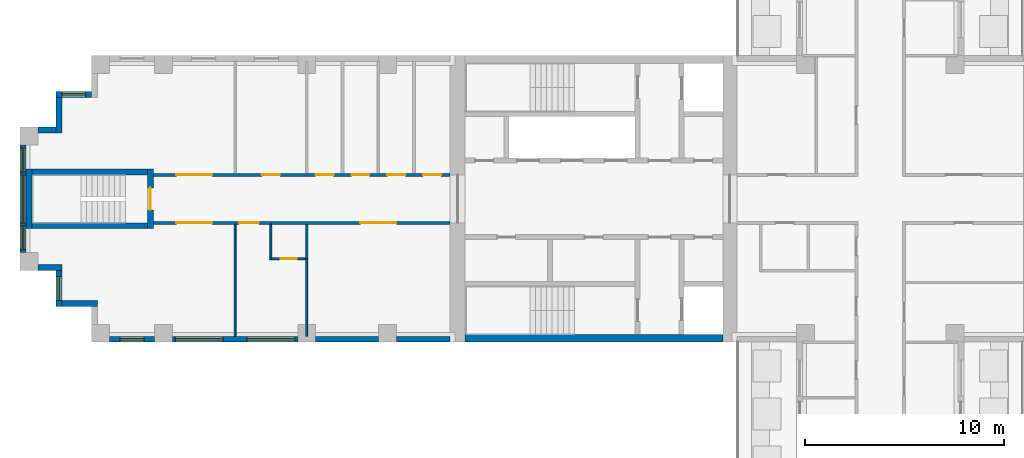
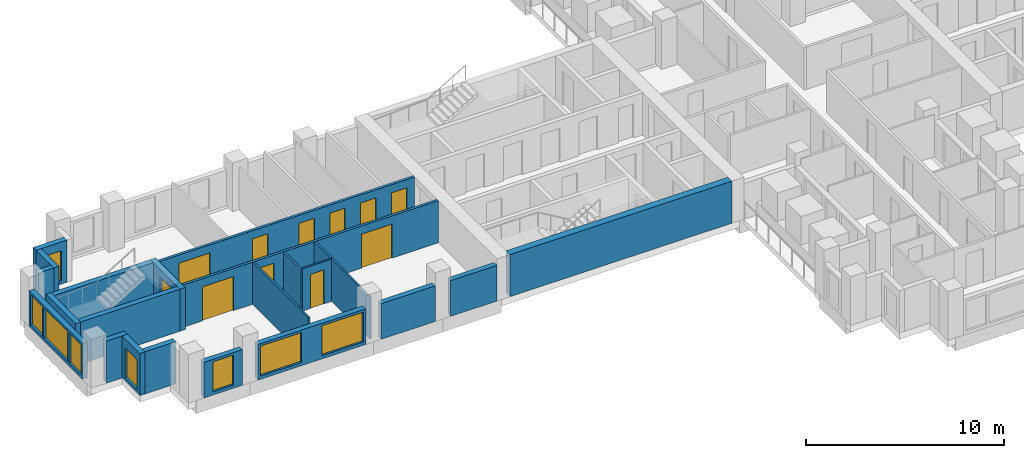
# One storey, part 2 of 11: 23 walls, 11 doors, 8 windows, 19 openings.
"""IFC4 building model written with IfcOpenShell, lengths in metres."""

import ifcopenshell
import ifcopenshell.guid

model = None  # the IFC model being written
_history = None  # IfcOwnerHistory: only IFC2X3 demands one
_inside = {}  # id of a spatial element -> (the spatial element, [elements in it])
_under = {}  # id of a project, library or spatial element -> (it, [spatial elements below it])
_declared = {}  # id of a project -> (the project, [libraries it declares])
_typed = {}  # id of a type object -> (the type object, [elements of that type])
_made_of = {}  # id of a material, layer set ... -> (it, [elements and type objects made of it])


def new_model(schema):
    """Start an empty IFC model of exactly this schema.

    Asked for "IFC4X3", IfcOpenShell would pick the latest addendum, in which some entities
    have other attributes; the version numbers below select the first issue.
    IFC2X3 requires an IfcOwnerHistory on every rooted entity: one is made here for all.
    """
    global model, _history
    if schema == "IFC4X3":
        model = ifcopenshell.file(schema_version=(4, 3, 0, 0))
    else:
        model = ifcopenshell.file(schema=schema)
    _inside.clear()
    _under.clear()
    _declared.clear()
    _typed.clear()
    _made_of.clear()
    _history = None
    if model.schema == "IFC2X3":
        org = make("IfcOrganization", Name="unknown")
        user = make(
            "IfcPersonAndOrganization",
            ThePerson=make("IfcPerson", FamilyName="unknown"),
            TheOrganization=org,
        )
        app = make(
            "IfcApplication",
            ApplicationDeveloper=org,
            Version="unknown",
            ApplicationFullName="unknown",
            ApplicationIdentifier="unknown",
        )
        _history = make(
            "IfcOwnerHistory",
            OwningUser=user,
            OwningApplication=app,
            ChangeAction="ADDED",
            CreationDate=0,
        )
    return model


def make(cls, **values):
    """One entity of the class cls with the attributes given. An attribute that is None is left unset."""
    return model.create_entity(
        cls, **{name: value for name, value in values.items() if value is not None}
    )


def rooted(cls, **values):
    """An entity with a GlobalId (a new one), such as an element, a storey or a relation."""
    return make(cls, GlobalId=ifcopenshell.guid.new(), OwnerHistory=_history, **values)


def si_unit(unit_type, name, prefix=None):
    """IfcSIUnit, for example si_unit("LENGTHUNIT", "METRE", prefix="MILLI")."""
    return make("IfcSIUnit", UnitType=unit_type, Prefix=prefix, Name=name)


def assignment(units):
    """IfcUnitAssignment: the units of a project."""
    return None if units is None else make("IfcUnitAssignment", Units=units)


def point(xyz):
    """IfcCartesianPoint."""
    return None if xyz is None else make("IfcCartesianPoint", Coordinates=xyz)


def direction(xyz):
    """IfcDirection."""
    return None if xyz is None else make("IfcDirection", DirectionRatios=xyz)


def frame(location, z_axis=None, x_axis=None):
    """IfcAxis2Placement3D, a coordinate frame: its origin and axes. An axis left out is left unset."""
    return make(
        "IfcAxis2Placement3D",
        Location=point(location),
        Axis=direction(z_axis),
        RefDirection=direction(x_axis),
    )


def frame_2d(location, x_axis=None):
    """IfcAxis2Placement2D, a coordinate frame in the plane: its origin and x axis."""
    return make(
        "IfcAxis2Placement2D", Location=point(location), RefDirection=direction(x_axis)
    )


def origin():
    """The frame at (0, 0, 0) with its axes left unset."""
    return frame((0.0, 0.0, 0.0))


def place(relative_to, where):
    """IfcLocalPlacement: puts the frame where relative to a parent placement (None: the world)."""
    return make(
        "IfcLocalPlacement", PlacementRelTo=relative_to, RelativePlacement=where
    )


def context(
    kind, dimensions, precision=None, world=None, true_north=None, identifier=None
):
    """IfcGeometricRepresentationContext, for example the 3D "Model" context."""
    return make(
        "IfcGeometricRepresentationContext",
        ContextIdentifier=identifier,
        ContextType=kind,
        CoordinateSpaceDimension=dimensions,
        Precision=precision,
        WorldCoordinateSystem=world,
        TrueNorth=true_north,
    )


def subcontext(parent, identifier, kind, view, scale=None):
    """IfcGeometricRepresentationSubContext, for example "Body" below "Model"."""
    return make(
        "IfcGeometricRepresentationSubContext",
        ContextIdentifier=identifier,
        ContextType=kind,
        ParentContext=parent,
        TargetScale=scale,
        TargetView=view,
    )


def project(units=None, contexts=None):
    """IfcProject with its units and contexts."""
    return rooted(
        "IfcProject",
        Name="project",
        RepresentationContexts=contexts,
        UnitsInContext=assignment(units),
    )


def spatial(cls, under=None, at=None, **own):
    """A site, building, storey or space (cls), placed at a placement, below another one or the project."""
    s = rooted(cls, ObjectPlacement=at, **own)
    if under is not None:
        _under.setdefault(under.id(), (under, []))[1].append(s)
    return s


def profile(cls, at=None, kind="AREA", **sizes):
    """A parametric profile (cls). Its sizes go by their IFC names, for example OverallWidth=200.0."""
    return make(cls, ProfileType=kind, Position=at, **sizes)


def rectangle(**sizes):
    """IfcRectangleProfileDef."""
    return profile("IfcRectangleProfileDef", **sizes)


def extrude(swept, where, along, depth):
    """IfcExtrudedAreaSolid: the profile swept, set in the frame where, extruded along a direction by depth."""
    return make(
        "IfcExtrudedAreaSolid",
        SweptArea=swept,
        Position=where,
        ExtrudedDirection=direction(along),
        Depth=depth,
    )


def shape(context_of_items, identifier, shape_type, items):
    """IfcShapeRepresentation: the items that make up one representation, for example the "Body"."""
    return make(
        "IfcShapeRepresentation",
        ContextOfItems=context_of_items,
        RepresentationIdentifier=identifier,
        RepresentationType=shape_type,
        Items=items,
    )


def material(Name=None, Category=None):
    """IfcMaterial."""
    return make("IfcMaterial", Name=Name, Category=Category)


def layer(
    of_material, thickness, ventilated=None, Name=None, Category=None, Priority=None
):
    """IfcMaterialLayer: one layer of a wall or slab, of a material (None: an air gap)."""
    return make(
        "IfcMaterialLayer",
        Material=of_material,
        LayerThickness=thickness,
        IsVentilated=ventilated,
        Name=Name,
        Category=Category,
        Priority=Priority,
    )


def layer_set(layers, Name=None):
    """IfcMaterialLayerSet."""
    return make("IfcMaterialLayerSet", MaterialLayers=layers, LayerSetName=Name)


def made_of(thing, what):
    """Note that an element or type object is made of a material, layer set ...; save() writes the relation."""
    if what is not None:
        _made_of.setdefault(what.id(), (what, []))[1].append(thing)
    return thing


def type_object(cls, material=None, **own):
    """A type object (cls), such as IfcWallType, which elements share."""
    return made_of(rooted(cls, **own), material)


def element(
    cls,
    number,
    at=None,
    inside=None,
    cuts=None,
    type_object=None,
    material=None,
    context=None,
    identifier="Body",
    shape_type=None,
    held_by="IfcProductDefinitionShape",
    body=None,
    shapes=None,
    **own,
):
    """One element of the class cls, such as IfcWall. Its Tag is "e" and its number.

    at: its placement. inside: the storey or other place that contains it. cuts: it is an
    opening in that element (IfcRelVoidsElement). A single representation is given by context,
    identifier, shape_type and body (its items); several are given by shapes. held_by: the class
    of the entity that holds the representations. save() writes the other relations.
    """
    e = rooted(cls, Tag="e%d" % number, ObjectPlacement=at, **own)
    if body is not None:
        shapes = [shape(context, identifier, shape_type, body)]
    if shapes is not None:
        e.Representation = make(held_by, Representations=shapes)
    if inside is not None:
        _inside.setdefault(inside.id(), (inside, []))[1].append(e)
    if cuts is not None:
        rooted(
            "IfcRelVoidsElement", RelatingBuildingElement=cuts, RelatedOpeningElement=e
        )
    if type_object is not None:
        _typed.setdefault(type_object.id(), (type_object, []))[1].append(e)
    return made_of(e, material)


def fill(opening, filler):
    """IfcRelFillsElement: the door or window that sits in an opening."""
    return rooted(
        "IfcRelFillsElement",
        RelatingOpeningElement=opening,
        RelatedBuildingElement=filler,
    )


def aggregate(whole, parts):
    """IfcRelAggregates: a whole, such as a stair, and the parts it consists of."""
    return rooted("IfcRelAggregates", RelatingObject=whole, RelatedObjects=parts)


def save(model, path):
    """Write the relations noted so far, then the file.

    IfcRelAggregates (storeys below a building ...), IfcRelContainedInSpatialStructure (elements
    in a storey), IfcRelDefinesByType, IfcRelAssociatesMaterial and IfcRelDeclares: one each for
    every whole, place, type object, material and project.
    """
    for whole, parts in _under.values():
        aggregate(whole, parts)
    for where, things in _inside.values():
        rooted(
            "IfcRelContainedInSpatialStructure",
            RelatedElements=things,
            RelatingStructure=where,
        )
    for kind, things in _typed.values():
        rooted("IfcRelDefinesByType", RelatedObjects=things, RelatingType=kind)
    for what, things in _made_of.values():
        rooted("IfcRelAssociatesMaterial", RelatedObjects=things, RelatingMaterial=what)
    for by, libraries in _declared.values():
        rooted("IfcRelDeclares", RelatingContext=by, RelatedDefinitions=libraries)
    model.write(path)


model = new_model("IFC4")

# Units and contexts
model_context = context("Model", 3, precision=1e-05, world=origin(), true_north=direction((0.0, 1.0)))
body_context = subcontext(model_context, "Body", "Model", "MODEL_VIEW")
ifc_project = project(units=[si_unit("LENGTHUNIT", "METRE"), si_unit("AREAUNIT", "SQUARE_METRE"), si_unit("VOLUMEUNIT", "CUBIC_METRE"), si_unit("PLANEANGLEUNIT", "RADIAN"), si_unit("MASSUNIT", "GRAM", prefix="KILO")], contexts=[model_context])

# Site, building, storey
site_placement = place(None, origin())
site = spatial("IfcSite", under=ifc_project, at=site_placement, CompositionType="ELEMENT")
building_placement = place(site_placement, origin())
building = spatial("IfcBuilding", under=site, at=building_placement, Name="Fustian Cross Tower", CompositionType="ELEMENT")
storey_placement = place(building_placement, frame((0.0, 0.0, 173.699951171875)))
storey = spatial("IfcBuildingStorey", under=building, at=storey_placement, Name="L54", CompositionType="ELEMENT", Elevation=173.699951171875)

# Wall, openings, doors
ifc_material_1 = material(Name="Plasterboard on steel stud", Category="steel")
ifc_layer_1 = layer(ifc_material_1, 0.14990234375)
ifc_layer_set_1 = layer_set([ifc_layer_1], Name="Plasterboard on steel stud")
wall_type_1 = type_object("IfcWallType", Name="COMPARTMENT WALL 150 EI 60", PredefinedType="PARTITIONING", material=ifc_layer_set_1)
wall_1_placement = place(storey_placement, frame((-36.5, -1.199951171875, 0.0), z_axis=(0.0, 0.0, 1.0), x_axis=(1.0, 0.0, 0.0)))
wall_1 = element("IfcWall", 1, at=wall_1_placement, inside=storey, type_object=wall_type_1, Name="Partition 1", PredefinedType="PARTITIONING", context=body_context, shape_type="SweptSolid", body=[
    extrude(rectangle(XDim=14.89990234375, YDim=0.14990234375, at=frame_2d((7.449951171875, 0.0))), origin(), (0.0, 0.0, 1.0), 2.60009765625),
])
opening_1_placement = place(wall_1_placement, frame((10.39990234375, 0.0, 0.0)))
opening_1 = element("IfcOpeningElement", 2, at=opening_1_placement, cuts=wall_1, Name="Opening D25021", PredefinedType="OPENING", context=body_context, shape_type="SweptSolid", body=[
    extrude(rectangle(XDim=1.800048828125, YDim=2.10009765625, at=frame_2d((0.89990234375, 1.050048828125))), frame((0.0, 0.0849609375, 0.0), z_axis=(0.0, -1.0, 0.0), x_axis=(1.0, 0.0, 0.0)), (0.0, 0.0, 1.0), 0.169921875),
])
opening_2_placement = place(wall_1_placement, frame((4.300048828125, 0.0, 0.0)))
opening_2 = element("IfcOpeningElement", 3, at=opening_2_placement, cuts=wall_1, Name="Opening D25023", PredefinedType="OPENING", context=body_context, shape_type="SweptSolid", body=[
    extrude(rectangle(XDim=1.0, YDim=2.10009765625, at=frame_2d((0.5, 1.050048828125))), frame((0.0, 0.0849609375, 0.0), z_axis=(0.0, -1.0, 0.0), x_axis=(1.0, 0.0, 0.0)), (0.0, 0.0, 1.0), 0.169921875),
])
opening_3_placement = place(wall_1_placement, frame((1.14990234375, 0.0, 0.0)))
opening_3 = element("IfcOpeningElement", 4, at=opening_3_placement, cuts=wall_1, Name="Opening D25024", PredefinedType="OPENING", context=body_context, shape_type="SweptSolid", body=[
    extrude(rectangle(XDim=1.800048828125, YDim=2.10009765625, at=frame_2d((0.89990234375, 1.050048828125))), frame((0.0, 0.0849609375, 0.0), z_axis=(0.0, -1.0, 0.0), x_axis=(1.0, 0.0, 0.0)), (0.0, 0.0, 1.0), 0.169921875),
])
ifc_material_2 = material(Name="Timber fire door set", Category="wood")
door_type_1 = type_object("IfcDoorType", Name="FIRE DOUBLE DOOR 1800 FD30S", OperationType="DOUBLE_DOOR_DOUBLE_SWING", PredefinedType="DOOR", material=ifc_material_2)
door_1_placement = place(opening_1_placement, origin())
door_1 = element("IfcDoor", 5, at=door_1_placement, inside=storey, type_object=door_type_1, Name="Door D25021", OperationType="DOUBLE_DOOR_DOUBLE_SWING", OverallHeight=2.10009765625, OverallWidth=1.800048828125, PredefinedType="DOOR", context=body_context, shape_type="SweptSolid", body=[
    extrude(rectangle(XDim=1.800048828125, YDim=2.10009765625, at=frame_2d((0.89990234375, 1.050048828125))), frame((0.0, 0.02490234375, 0.0), z_axis=(0.0, -1.0, 0.0), x_axis=(1.0, 0.0, 0.0)), (0.0, 0.0, 1.0), 0.050048828125),
])
fill(opening_1, door_1)
door_2_placement = place(opening_3_placement, origin())
door_2 = element("IfcDoor", 6, at=door_2_placement, inside=storey, type_object=door_type_1, Name="Door D25024", OperationType="DOUBLE_DOOR_DOUBLE_SWING", OverallHeight=2.10009765625, OverallWidth=1.800048828125, PredefinedType="DOOR", context=body_context, shape_type="SweptSolid", body=[
    extrude(rectangle(XDim=1.800048828125, YDim=2.10009765625, at=frame_2d((0.89990234375, 1.050048828125))), frame((0.0, 0.02490234375, 0.0), z_axis=(0.0, -1.0, 0.0), x_axis=(1.0, 0.0, 0.0)), (0.0, 0.0, 1.0), 0.050048828125),
])
fill(opening_3, door_2)
ifc_material_3 = material(Name="Timber fire door set", Category="wood")
door_type_2 = type_object("IfcDoorType", Name="FIRE SWING DOOR 1000 FD30S", OperationType="SINGLE_SWING_LEFT", PredefinedType="DOOR", material=ifc_material_3)
door_3_placement = place(opening_2_placement, frame((1.0, 0.0, 0.0), z_axis=(0.0, 0.0, 1.0), x_axis=(-1.0, 0.0, 0.0)))
door_3 = element("IfcDoor", 7, at=door_3_placement, inside=storey, type_object=door_type_2, Name="Door D25023", OperationType="SINGLE_SWING_RIGHT", OverallHeight=2.10009765625, OverallWidth=1.0, PredefinedType="DOOR", context=body_context, shape_type="SweptSolid", body=[
    extrude(rectangle(XDim=1.0, YDim=2.10009765625, at=frame_2d((0.5, 1.050048828125))), frame((0.0, 0.02490234375, 0.0), z_axis=(0.0, -1.0, 0.0), x_axis=(1.0, 0.0, 0.0)), (0.0, 0.0, 1.0), 0.050048828125),
])
fill(opening_2, door_3)

wall_2_placement = place(storey_placement, frame((-36.5, 1.199951171875, 0.0), z_axis=(0.0, 0.0, 1.0), x_axis=(1.0, 0.0, 0.0)))
wall_2 = element("IfcWall", 8, at=wall_2_placement, inside=storey, type_object=wall_type_1, Name="Partition 2", PredefinedType="PARTITIONING", context=body_context, shape_type="SweptSolid", body=[
    extrude(rectangle(XDim=14.89990234375, YDim=0.14990234375, at=frame_2d((7.449951171875, 0.0))), origin(), (0.0, 0.0, 1.0), 2.60009765625),
])
opening_4_placement = place(wall_2_placement, frame((13.550048828125, 0.0, 0.0)))
opening_4 = element("IfcOpeningElement", 9, at=opening_4_placement, cuts=wall_2, Name="Opening D25025", PredefinedType="OPENING", context=body_context, shape_type="SweptSolid", body=[
    extrude(rectangle(XDim=0.89990234375, YDim=2.10009765625, at=frame_2d((0.449951171875, 1.050048828125))), frame((0.0, 0.0849609375, 0.0), z_axis=(0.0, -1.0, 0.0), x_axis=(1.0, 0.0, 0.0)), (0.0, 0.0, 1.0), 0.169921875),
])
opening_5_placement = place(wall_2_placement, frame((11.75, 0.0, 0.0)))
opening_5 = element("IfcOpeningElement", 10, at=opening_5_placement, cuts=wall_2, Name="Opening D25026", PredefinedType="OPENING", context=body_context, shape_type="SweptSolid", body=[
    extrude(rectangle(XDim=0.89990234375, YDim=2.10009765625, at=frame_2d((0.449951171875, 1.050048828125))), frame((0.0, 0.0849609375, 0.0), z_axis=(0.0, -1.0, 0.0), x_axis=(1.0, 0.0, 0.0)), (0.0, 0.0, 1.0), 0.169921875),
])
opening_6_placement = place(wall_2_placement, frame((9.949951171875, 0.0, 0.0)))
opening_6 = element("IfcOpeningElement", 11, at=opening_6_placement, cuts=wall_2, Name="Opening D25027", PredefinedType="OPENING", context=body_context, shape_type="SweptSolid", body=[
    extrude(rectangle(XDim=0.89990234375, YDim=2.10009765625, at=frame_2d((0.449951171875, 1.050048828125))), frame((0.0, 0.0849609375, 0.0), z_axis=(0.0, -1.0, 0.0), x_axis=(1.0, 0.0, 0.0)), (0.0, 0.0, 1.0), 0.169921875),
])
opening_7_placement = place(wall_2_placement, frame((8.14990234375, 0.0, 0.0)))
opening_7 = element("IfcOpeningElement", 12, at=opening_7_placement, cuts=wall_2, Name="Opening D25028", PredefinedType="OPENING", context=body_context, shape_type="SweptSolid", body=[
    extrude(rectangle(XDim=0.89990234375, YDim=2.10009765625, at=frame_2d((0.449951171875, 1.050048828125))), frame((0.0, 0.0849609375, 0.0), z_axis=(0.0, -1.0, 0.0), x_axis=(1.0, 0.0, 0.0)), (0.0, 0.0, 1.0), 0.169921875),
])
opening_8_placement = place(wall_2_placement, frame((5.449951171875, 0.0, 0.0)))
opening_8 = element("IfcOpeningElement", 13, at=opening_8_placement, cuts=wall_2, Name="Opening D25029", PredefinedType="OPENING", context=body_context, shape_type="SweptSolid", body=[
    extrude(rectangle(XDim=0.89990234375, YDim=2.10009765625, at=frame_2d((0.449951171875, 1.050048828125))), frame((0.0, 0.0849609375, 0.0), z_axis=(0.0, -1.0, 0.0), x_axis=(1.0, 0.0, 0.0)), (0.0, 0.0, 1.0), 0.169921875),
])
opening_9_placement = place(wall_2_placement, frame((1.14990234375, 0.0, 0.0)))
opening_9 = element("IfcOpeningElement", 14, at=opening_9_placement, cuts=wall_2, Name="Opening D25030", PredefinedType="OPENING", context=body_context, shape_type="SweptSolid", body=[
    extrude(rectangle(XDim=1.800048828125, YDim=2.10009765625, at=frame_2d((0.89990234375, 1.050048828125))), frame((0.0, 0.0849609375, 0.0), z_axis=(0.0, -1.0, 0.0), x_axis=(1.0, 0.0, 0.0)), (0.0, 0.0, 1.0), 0.169921875),
])
door_4_placement = place(opening_9_placement, frame((1.800048828125, 0.0, 0.0), z_axis=(0.0, 0.0, 1.0), x_axis=(-1.0, 0.0, 0.0)))
door_4 = element("IfcDoor", 15, at=door_4_placement, inside=storey, type_object=door_type_1, Name="Door D25030", OperationType="DOUBLE_DOOR_DOUBLE_SWING", OverallHeight=2.10009765625, OverallWidth=1.800048828125, PredefinedType="DOOR", context=body_context, shape_type="SweptSolid", body=[
    extrude(rectangle(XDim=1.800048828125, YDim=2.10009765625, at=frame_2d((0.89990234375, 1.050048828125))), frame((0.0, 0.02490234375, 0.0), z_axis=(0.0, -1.0, 0.0), x_axis=(1.0, 0.0, 0.0)), (0.0, 0.0, 1.0), 0.050048828125),
])
fill(opening_9, door_4)
ifc_material_4 = material(Name="Timber fire door set", Category="wood")
door_type_3 = type_object("IfcDoorType", Name="FIRE SWING DOOR 900 FD30S", OperationType="SINGLE_SWING_LEFT", PredefinedType="DOOR", material=ifc_material_4)
door_5_placement = place(opening_4_placement, frame((0.89990234375, 0.0, 0.0), z_axis=(0.0, 0.0, 1.0), x_axis=(-1.0, 0.0, 0.0)))
door_5 = element("IfcDoor", 16, at=door_5_placement, inside=storey, type_object=door_type_3, Name="Door D25025", OperationType="SINGLE_SWING_LEFT", OverallHeight=2.10009765625, OverallWidth=0.89990234375, PredefinedType="DOOR", context=body_context, shape_type="SweptSolid", body=[
    extrude(rectangle(XDim=0.89990234375, YDim=2.10009765625, at=frame_2d((0.449951171875, 1.050048828125))), frame((0.0, 0.02490234375, 0.0), z_axis=(0.0, -1.0, 0.0), x_axis=(1.0, 0.0, 0.0)), (0.0, 0.0, 1.0), 0.050048828125),
])
fill(opening_4, door_5)
door_6_placement = place(opening_5_placement, origin())
door_6 = element("IfcDoor", 17, at=door_6_placement, inside=storey, type_object=door_type_3, Name="Door D25026", OperationType="SINGLE_SWING_RIGHT", OverallHeight=2.10009765625, OverallWidth=0.89990234375, PredefinedType="DOOR", context=body_context, shape_type="SweptSolid", body=[
    extrude(rectangle(XDim=0.89990234375, YDim=2.10009765625, at=frame_2d((0.449951171875, 1.050048828125))), frame((0.0, 0.02490234375, 0.0), z_axis=(0.0, -1.0, 0.0), x_axis=(1.0, 0.0, 0.0)), (0.0, 0.0, 1.0), 0.050048828125),
])
fill(opening_5, door_6)
door_7_placement = place(opening_6_placement, origin())
door_7 = element("IfcDoor", 18, at=door_7_placement, inside=storey, type_object=door_type_3, Name="Door D25027", OperationType="SINGLE_SWING_RIGHT", OverallHeight=2.10009765625, OverallWidth=0.89990234375, PredefinedType="DOOR", context=body_context, shape_type="SweptSolid", body=[
    extrude(rectangle(XDim=0.89990234375, YDim=2.10009765625, at=frame_2d((0.449951171875, 1.050048828125))), frame((0.0, 0.02490234375, 0.0), z_axis=(0.0, -1.0, 0.0), x_axis=(1.0, 0.0, 0.0)), (0.0, 0.0, 1.0), 0.050048828125),
])
fill(opening_6, door_7)
door_8_placement = place(opening_7_placement, origin())
door_8 = element("IfcDoor", 19, at=door_8_placement, inside=storey, type_object=door_type_3, Name="Door D25028", OperationType="SINGLE_SWING_RIGHT", OverallHeight=2.10009765625, OverallWidth=0.89990234375, PredefinedType="DOOR", context=body_context, shape_type="SweptSolid", body=[
    extrude(rectangle(XDim=0.89990234375, YDim=2.10009765625, at=frame_2d((0.449951171875, 1.050048828125))), frame((0.0, 0.02490234375, 0.0), z_axis=(0.0, -1.0, 0.0), x_axis=(1.0, 0.0, 0.0)), (0.0, 0.0, 1.0), 0.050048828125),
])
fill(opening_7, door_8)
door_9_placement = place(opening_8_placement, origin())
door_9 = element("IfcDoor", 20, at=door_9_placement, inside=storey, type_object=door_type_3, Name="Door D25029", OperationType="SINGLE_SWING_LEFT", OverallHeight=2.10009765625, OverallWidth=0.89990234375, PredefinedType="DOOR", context=body_context, shape_type="SweptSolid", body=[
    extrude(rectangle(XDim=0.89990234375, YDim=2.10009765625, at=frame_2d((0.449951171875, 1.050048828125))), frame((0.0, 0.02490234375, 0.0), z_axis=(0.0, -1.0, 0.0), x_axis=(1.0, 0.0, 0.0)), (0.0, 0.0, 1.0), 0.050048828125),
])
fill(opening_8, door_9)

# Walls
ifc_material_5 = material(Name="Concrete C50/60", Category="concrete")
ifc_layer_2 = layer(ifc_material_5, 0.39990234375)
ifc_layer_set_2 = layer_set([ifc_layer_2], Name="Concrete C50/60")
wall_type_2 = type_object("IfcWallType", Name="CORE FACADE WALL 400 C50/60", PredefinedType="SHEAR", material=ifc_layer_set_2)
wall_3_placement = place(storey_placement, frame((-7.89990234375, -7.0, 0.0), z_axis=(0.0, 0.0, 1.0), x_axis=(-1.0, 0.0, 0.0)))
element("IfcWall", 21, at=wall_3_placement, inside=storey, type_object=wall_type_2, Name="Core facade wall", PredefinedType="SHEAR", context=body_context, shape_type="SweptSolid", body=[
    extrude(rectangle(XDim=12.9501953125, YDim=0.39990234375, at=frame_2d((6.47509765625, 0.0))), origin(), (0.0, 0.0, 1.0), 2.60009765625),
])
ifc_material_6 = material(Name="Plasterboard on steel stud", Category="steel")
ifc_layer_3 = layer(ifc_material_6, 0.10009765625)
ifc_layer_set_3 = layer_set([ifc_layer_3], Name="Plasterboard on steel stud")
wall_type_3 = type_object("IfcWallType", Name="PARTITION 100 STUD", PredefinedType="PARTITIONING", material=ifc_layer_set_3)
wall_4_placement = place(storey_placement, frame((-32.39990234375, -6.89990234375, 0.0), z_axis=(0.0, 0.0, 1.0), x_axis=(0.0, 1.0, 0.0)))
element("IfcWall", 22, at=wall_4_placement, inside=storey, type_object=wall_type_3, Name="Partition 3", PredefinedType="PARTITIONING", context=body_context, shape_type="SweptSolid", body=[
    extrude(rectangle(XDim=5.625, YDim=0.10009765625, at=frame_2d((2.8125, 0.0))), origin(), (0.0, 0.0, 1.0), 2.60009765625),
])
wall_5_placement = place(storey_placement, frame((-30.60009765625, -3.050048828125, 0.0), z_axis=(0.0, 0.0, 1.0), x_axis=(0.0, 1.0, 0.0)))
element("IfcWall", 23, at=wall_5_placement, inside=storey, type_object=wall_type_3, Name="Partition 5", PredefinedType="PARTITIONING", context=body_context, shape_type="SweptSolid", body=[
    extrude(rectangle(XDim=1.775146484375, YDim=0.10009765625, at=frame_2d((0.8876953125, 0.0))), origin(), (0.0, 0.0, 1.0), 2.60009765625),
])

# Wall, opening, door
wall_6_placement = place(storey_placement, frame((-30.550048828125, -3.0, 0.0), z_axis=(0.0, 0.0, 1.0), x_axis=(1.0, 0.0, 0.0)))
wall_6 = element("IfcWall", 24, at=wall_6_placement, inside=storey, type_object=wall_type_3, Name="Partition 6", PredefinedType="PARTITIONING", context=body_context, shape_type="SweptSolid", body=[
    extrude(rectangle(XDim=1.6875, YDim=0.10009765625, at=frame_2d((0.84375, 0.0))), origin(), (0.0, 0.0, 1.0), 2.60009765625),
])
opening_10_placement = place(wall_6_placement, frame((0.449951171875, 0.0, 0.0)))
opening_10 = element("IfcOpeningElement", 25, at=opening_10_placement, cuts=wall_6, Name="Opening D25022", PredefinedType="OPENING", context=body_context, shape_type="SweptSolid", body=[
    extrude(rectangle(XDim=0.800048828125, YDim=2.10009765625, at=frame_2d((0.39990234375, 1.050048828125))), frame((0.0, 0.06005859375, 0.0), z_axis=(0.0, -1.0, 0.0), x_axis=(1.0, 0.0, 0.0)), (0.0, 0.0, 1.0), 0.1201171875),
])
ifc_material_7 = material(Name="Painted timber", Category="wood")
door_type_4 = type_object("IfcDoorType", Name="SWING DOOR 800", OperationType="SINGLE_SWING_LEFT", PredefinedType="DOOR", material=ifc_material_7)
door_10_placement = place(opening_10_placement, origin())
door_10 = element("IfcDoor", 26, at=door_10_placement, inside=storey, type_object=door_type_4, Name="Door D25022", OperationType="SINGLE_SWING_RIGHT", OverallHeight=2.10009765625, OverallWidth=0.800048828125, PredefinedType="DOOR", context=body_context, shape_type="SweptSolid", body=[
    extrude(rectangle(XDim=0.800048828125, YDim=2.10009765625, at=frame_2d((0.39990234375, 1.050048828125))), frame((0.0, 0.02490234375, 0.0), z_axis=(0.0, -1.0, 0.0), x_axis=(1.0, 0.0, 0.0)), (0.0, 0.0, 1.0), 0.050048828125),
])
fill(opening_10, door_10)

# Wall
wall_7_placement = place(storey_placement, frame((-28.800048828125, -6.89990234375, 0.0), z_axis=(0.0, 0.0, 1.0), x_axis=(0.0, 1.0, 0.0)))
element("IfcWall", 27, at=wall_7_placement, inside=storey, type_object=wall_type_3, Name="Partition 7", PredefinedType="PARTITIONING", context=body_context, shape_type="SweptSolid", body=[
    extrude(rectangle(XDim=3.89990234375, YDim=0.10009765625, at=frame_2d((1.949951171875, 0.0))), origin(), (0.0, 0.0, 1.0), 2.60009765625),
])

# Wall, opening, door
ifc_material_8 = material(Name="Concrete C50/60", Category="concrete")
ifc_layer_4 = layer(ifc_material_8, 0.300048828125)
ifc_layer_set_4 = layer_set([ifc_layer_4], Name="Concrete C50/60")
wall_type_4 = type_object("IfcWallType", Name="STAIR ENCLOSURE WALL 300 C50/60", PredefinedType="SHEAR", material=ifc_layer_set_4)
wall_8_placement = place(storey_placement, frame((-36.64990234375, -1.5, 0.0), z_axis=(0.0, 0.0, 1.0), x_axis=(0.0, 1.0, 0.0)))
wall_8 = element("IfcWall", 28, at=wall_8_placement, inside=storey, type_object=wall_type_4, Name="Stair enclosure wall", PredefinedType="SHEAR", context=body_context, shape_type="SweptSolid", body=[
    extrude(rectangle(XDim=3.0, YDim=0.300048828125, at=frame_2d((1.5, 0.0))), origin(), (0.0, 0.0, 1.0), 2.60009765625),
])
opening_11_placement = place(wall_8_placement, frame((0.949951171875, 0.0, 0.0)))
opening_11 = element("IfcOpeningElement", 29, at=opening_11_placement, cuts=wall_8, Name="Opening CD-22-33", PredefinedType="OPENING", context=body_context, shape_type="SweptSolid", body=[
    extrude(rectangle(XDim=1.10009765625, YDim=2.10009765625, at=frame_2d((0.550048828125, 1.050048828125))), frame((0.0, 0.159912109375, 0.0), z_axis=(0.0, -1.0, 0.0), x_axis=(1.0, 0.0, 0.0)), (0.0, 0.0, 1.0), 0.320068359375),
])
ifc_material_9 = material(Name="Steel", Category="steel")
door_type_5 = type_object("IfcDoorType", Name="FIRE DOOR FD60S 1100X2100", OperationType="SINGLE_SWING_LEFT", PredefinedType="DOOR", material=ifc_material_9)
door_11_placement = place(opening_11_placement, origin())
door_11 = element("IfcDoor", 30, at=door_11_placement, inside=storey, type_object=door_type_5, Name="Core door CD-22-33", OperationType="SINGLE_SWING_LEFT", OverallHeight=2.10009765625, OverallWidth=1.10009765625, PredefinedType="DOOR", context=body_context, shape_type="SweptSolid", body=[
    extrude(rectangle(XDim=1.10009765625, YDim=2.10009765625, at=frame_2d((0.550048828125, 1.050048828125))), frame((0.0, 0.02490234375, 0.0), z_axis=(0.0, -1.0, 0.0), x_axis=(1.0, 0.0, 0.0)), (0.0, 0.0, 1.0), 0.050048828125),
])
fill(opening_11, door_11)

# Walls
wall_9_placement = place(storey_placement, frame((-42.75, -1.5, 0.0), z_axis=(0.0, 0.0, 1.0), x_axis=(0.0, 1.0, 0.0)))
element("IfcWall", 31, at=wall_9_placement, inside=storey, type_object=wall_type_4, Name="Stair enclosure wall", PredefinedType="SHEAR", context=body_context, shape_type="SweptSolid", body=[
    extrude(rectangle(XDim=3.0, YDim=0.300048828125, at=frame_2d((1.5, 0.0))), origin(), (0.0, 0.0, 1.0), 2.60009765625),
])
for number, where, z_axis, x_axis, name in (
    (32, (-36.800048828125, -1.35009765625, 0.0), (0.0, 0.0, 1.0), (-1.0, 0.0, 0.0), "Stair enclosure wall"),
    (33, (-36.800048828125, 1.35009765625, 0.0), (0.0, 0.0, 1.0), (-1.0, 0.0, 0.0), "Stair enclosure wall"),
):
    element("IfcWall", number, at=place(storey_placement, frame(where, z_axis=z_axis, x_axis=x_axis)), inside=storey, type_object=wall_type_4, Name=name, PredefinedType="SHEAR", context=body_context, shape_type="SweptSolid", body=[
        extrude(rectangle(XDim=5.800048828125, YDim=0.300048828125, at=frame_2d((2.89990234375, 0.0))), origin(), (0.0, 0.0, 1.0), 2.60009765625),
    ])
ifc_material_10 = material(Name="Plasterboard on steel stud", Category="steel")
ifc_layer_5 = layer(ifc_material_10, 0.125)
ifc_layer_set_5 = layer_set([ifc_layer_5], Name="Plasterboard on steel stud")
wall_type_5 = type_object("IfcWallType", Name="WET WALL 125 STUD", PredefinedType="PARTITIONING", material=ifc_layer_set_5)
wall_10_placement = place(storey_placement, frame((-28.800048828125, -3.0, 0.0), z_axis=(0.0, 0.0, 1.0), x_axis=(0.0, 1.0, 0.0)))
element("IfcWall", 34, at=wall_10_placement, inside=storey, type_object=wall_type_5, Name="Partition 8", PredefinedType="PARTITIONING", context=body_context, shape_type="SweptSolid", body=[
    extrude(rectangle(XDim=1.72509765625, YDim=0.125, at=frame_2d((0.862548828125, 0.0))), origin(), (0.0, 0.0, 1.0), 2.60009765625),
])

# Wall, opening, window
ifc_material_11 = material(Name="Dark aluminium cladding on insulated backing wall", Category="aluminium")
ifc_layer_6 = layer(ifc_material_11, 0.300048828125)
ifc_layer_set_6 = layer_set([ifc_layer_6], Name="Dark aluminium cladding on insulated backing wall")
wall_type_6 = type_object("IfcWallType", Name="XW1 EXTERNAL WALL 300", PredefinedType="SOLIDWALL", material=ifc_layer_set_6)
wall_11_placement = place(storey_placement, frame((-39.60009765625, 5.25, 0.0), z_axis=(0.0, 0.0, 1.0), x_axis=(-1.0, 0.0, 0.0)))
wall_11 = element("IfcWall", 35, at=wall_11_placement, inside=storey, type_object=wall_type_6, Name="External wall", PredefinedType="SOLIDWALL", context=body_context, shape_type="SweptSolid", body=[
    extrude(rectangle(XDim=1.7998046875, YDim=0.300048828125, at=frame_2d((0.89990234375, 0.0))), origin(), (0.0, 0.0, 1.0), 2.60009765625),
])
opening_12_placement = place(wall_11_placement, frame((0.300048828125, 0.0, 0.199951171875)))
opening_12 = element("IfcOpeningElement", 36, at=opening_12_placement, cuts=wall_11, Name="Opening WN3", PredefinedType="OPENING", context=body_context, shape_type="SweptSolid", body=[
    extrude(rectangle(XDim=1.199951171875, YDim=1.85009765625, at=frame_2d((0.60009765625, 0.925048828125))), frame((0.0, 0.159912109375, 0.0), z_axis=(0.0, -1.0, 0.0), x_axis=(1.0, 0.0, 0.0)), (0.0, 0.0, 1.0), 0.320068359375),
])
ifc_material_12 = material(Name="Dark anodised aluminium and double glazing", Category="aluminium")
window_type_1 = type_object("IfcWindowType", Name="WN3 WINDOW 1200X1850", PartitioningType="SINGLE_PANEL", PredefinedType="WINDOW", material=ifc_material_12)
window_1_placement = place(opening_12_placement, origin())
window_1 = element("IfcWindow", 37, at=window_1_placement, inside=storey, type_object=window_type_1, Name="Window", OverallHeight=1.85009765625, OverallWidth=1.199951171875, PartitioningType="SINGLE_PANEL", PredefinedType="WINDOW", context=body_context, shape_type="SweptSolid", body=[
    extrude(rectangle(XDim=1.199951171875, YDim=1.85009765625, at=frame_2d((0.60009765625, 0.925048828125))), frame((0.0, 0.030029296875, 0.0), z_axis=(0.0, -1.0, 0.0), x_axis=(1.0, 0.0, 0.0)), (0.0, 0.0, 1.0), 0.06005859375),
])
fill(opening_12, window_1)

# Walls
wall_12_placement = place(storey_placement, frame((-41.25, 5.10009765625, 0.0), z_axis=(0.0, 0.0, 1.0), x_axis=(0.0, -1.0, 0.0)))
element("IfcWall", 38, at=wall_12_placement, inside=storey, type_object=wall_type_6, Name="External wall", PredefinedType="SOLIDWALL", context=body_context, shape_type="SweptSolid", body=[
    extrude(rectangle(XDim=1.800048828125, YDim=0.300048828125, at=frame_2d((0.89990234375, 0.0))), origin(), (0.0, 0.0, 1.0), 2.60009765625),
])
wall_13_placement = place(storey_placement, frame((-41.39990234375, 3.449951171875, 0.0), z_axis=(0.0, 0.0, 1.0), x_axis=(-1.0, 0.0, 0.0)))
element("IfcWall", 39, at=wall_13_placement, inside=storey, type_object=wall_type_6, Name="External wall", PredefinedType="SOLIDWALL", context=body_context, shape_type="SweptSolid", body=[
    extrude(rectangle(XDim=0.900146484375, YDim=0.300048828125, at=frame_2d((0.4501953125, 0.0))), origin(), (0.0, 0.0, 1.0), 2.60009765625),
])

# Wall, openings, windows
wall_14_placement = place(storey_placement, frame((-43.050048828125, 2.699951171875, 0.0), z_axis=(0.0, 0.0, 1.0), x_axis=(0.0, -1.0, 0.0)))
wall_14 = element("IfcWall", 40, at=wall_14_placement, inside=storey, type_object=wall_type_6, Name="External wall", PredefinedType="SOLIDWALL", context=body_context, shape_type="SweptSolid", body=[
    extrude(rectangle(XDim=5.39990234375, YDim=0.300048828125, at=frame_2d((2.699951171875, 0.0))), origin(), (0.0, 0.0, 1.0), 2.199951171875),
])
opening_13_placement = place(wall_14_placement, frame((1.5, 0.0, 0.199951171875)))
opening_13 = element("IfcOpeningElement", 41, at=opening_13_placement, cuts=wall_14, Name="Opening WN1", PredefinedType="OPENING", context=body_context, shape_type="SweptSolid", body=[
    extrude(rectangle(XDim=2.39990234375, YDim=1.85009765625, at=frame_2d((1.199951171875, 0.925048828125))), frame((0.0, 0.159912109375, 0.0), z_axis=(0.0, -1.0, 0.0), x_axis=(1.0, 0.0, 0.0)), (0.0, 0.0, 1.0), 0.320068359375),
])
opening_14_placement = place(wall_14_placement, frame((0.14990234375, 0.0, 0.199951171875)))
opening_14 = element("IfcOpeningElement", 42, at=opening_14_placement, cuts=wall_14, Name="Opening WN3", PredefinedType="OPENING", context=body_context, shape_type="SweptSolid", body=[
    extrude(rectangle(XDim=1.199951171875, YDim=1.85009765625, at=frame_2d((0.60009765625, 0.925048828125))), frame((0.0, 0.159912109375, 0.0), z_axis=(0.0, -1.0, 0.0), x_axis=(1.0, 0.0, 0.0)), (0.0, 0.0, 1.0), 0.320068359375),
])
opening_15_placement = place(wall_14_placement, frame((4.050048828125, 0.0, 0.199951171875)))
opening_15 = element("IfcOpeningElement", 43, at=opening_15_placement, cuts=wall_14, Name="Opening WN3", PredefinedType="OPENING", context=body_context, shape_type="SweptSolid", body=[
    extrude(rectangle(XDim=1.199951171875, YDim=1.85009765625, at=frame_2d((0.60009765625, 0.925048828125))), frame((0.0, 0.159912109375, 0.0), z_axis=(0.0, -1.0, 0.0), x_axis=(1.0, 0.0, 0.0)), (0.0, 0.0, 1.0), 0.320068359375),
])
ifc_material_13 = material(Name="Dark anodised aluminium and double glazing", Category="aluminium")
window_type_2 = type_object("IfcWindowType", Name="WN1 WINDOW 2400X1850", PartitioningType="SINGLE_PANEL", PredefinedType="WINDOW", material=ifc_material_13)
window_2_placement = place(opening_13_placement, origin())
window_2 = element("IfcWindow", 44, at=window_2_placement, inside=storey, type_object=window_type_2, Name="Window", OverallHeight=1.85009765625, OverallWidth=2.39990234375, PartitioningType="SINGLE_PANEL", PredefinedType="WINDOW", context=body_context, shape_type="SweptSolid", body=[
    extrude(rectangle(XDim=2.39990234375, YDim=1.85009765625, at=frame_2d((1.199951171875, 0.925048828125))), frame((0.0, 0.030029296875, 0.0), z_axis=(0.0, -1.0, 0.0), x_axis=(1.0, 0.0, 0.0)), (0.0, 0.0, 1.0), 0.06005859375),
])
fill(opening_13, window_2)
window_3_placement = place(opening_14_placement, origin())
window_3 = element("IfcWindow", 45, at=window_3_placement, inside=storey, type_object=window_type_1, Name="Window", OverallHeight=1.85009765625, OverallWidth=1.199951171875, PartitioningType="SINGLE_PANEL", PredefinedType="WINDOW", context=body_context, shape_type="SweptSolid", body=[
    extrude(rectangle(XDim=1.199951171875, YDim=1.85009765625, at=frame_2d((0.60009765625, 0.925048828125))), frame((0.0, 0.030029296875, 0.0), z_axis=(0.0, -1.0, 0.0), x_axis=(1.0, 0.0, 0.0)), (0.0, 0.0, 1.0), 0.06005859375),
])
fill(opening_14, window_3)
window_4_placement = place(opening_15_placement, origin())
window_4 = element("IfcWindow", 46, at=window_4_placement, inside=storey, type_object=window_type_1, Name="Window", OverallHeight=1.85009765625, OverallWidth=1.199951171875, PartitioningType="SINGLE_PANEL", PredefinedType="WINDOW", context=body_context, shape_type="SweptSolid", body=[
    extrude(rectangle(XDim=1.199951171875, YDim=1.85009765625, at=frame_2d((0.60009765625, 0.925048828125))), frame((0.0, 0.030029296875, 0.0), z_axis=(0.0, -1.0, 0.0), x_axis=(1.0, 0.0, 0.0)), (0.0, 0.0, 1.0), 0.06005859375),
])
fill(opening_15, window_4)

# Wall
wall_15_placement = place(storey_placement, frame((-42.300048828125, -3.449951171875, 0.0), z_axis=(0.0, 0.0, 1.0), x_axis=(1.0, 0.0, 0.0)))
element("IfcWall", 47, at=wall_15_placement, inside=storey, type_object=wall_type_6, Name="External wall", PredefinedType="SOLIDWALL", context=body_context, shape_type="SweptSolid", body=[
    extrude(rectangle(XDim=1.199951171875, YDim=0.300048828125, at=frame_2d((0.60009765625, 0.0))), origin(), (0.0, 0.0, 1.0), 2.60009765625),
])

# Wall, opening, window
wall_16_placement = place(storey_placement, frame((-41.25, -3.60009765625, 0.0), z_axis=(0.0, 0.0, 1.0), x_axis=(0.0, -1.0, 0.0)))
wall_16 = element("IfcWall", 48, at=wall_16_placement, inside=storey, type_object=wall_type_6, Name="External wall", PredefinedType="SOLIDWALL", context=body_context, shape_type="SweptSolid", body=[
    extrude(rectangle(XDim=1.7998046875, YDim=0.300048828125, at=frame_2d((0.89990234375, 0.0))), origin(), (0.0, 0.0, 1.0), 2.60009765625),
])
opening_16_placement = place(wall_16_placement, frame((0.300048828125, 0.0, 0.199951171875)))
opening_16 = element("IfcOpeningElement", 49, at=opening_16_placement, cuts=wall_16, Name="Opening WN3", PredefinedType="OPENING", context=body_context, shape_type="SweptSolid", body=[
    extrude(rectangle(XDim=1.199951171875, YDim=1.85009765625, at=frame_2d((0.60009765625, 0.925048828125))), frame((0.0, 0.159912109375, 0.0), z_axis=(0.0, -1.0, 0.0), x_axis=(1.0, 0.0, 0.0)), (0.0, 0.0, 1.0), 0.320068359375),
])
window_5_placement = place(opening_16_placement, origin())
window_5 = element("IfcWindow", 50, at=window_5_placement, inside=storey, type_object=window_type_1, Name="Window", OverallHeight=1.85009765625, OverallWidth=1.199951171875, PartitioningType="SINGLE_PANEL", PredefinedType="WINDOW", context=body_context, shape_type="SweptSolid", body=[
    extrude(rectangle(XDim=1.199951171875, YDim=1.85009765625, at=frame_2d((0.60009765625, 0.925048828125))), frame((0.0, 0.030029296875, 0.0), z_axis=(0.0, -1.0, 0.0), x_axis=(1.0, 0.0, 0.0)), (0.0, 0.0, 1.0), 0.06005859375),
])
fill(opening_16, window_5)

# Wall
wall_17_placement = place(storey_placement, frame((-41.10009765625, -5.25, 0.0), z_axis=(0.0, 0.0, 1.0), x_axis=(1.0, 0.0, 0.0)))
element("IfcWall", 51, at=wall_17_placement, inside=storey, type_object=wall_type_6, Name="External wall", PredefinedType="SOLIDWALL", context=body_context, shape_type="SweptSolid", body=[
    extrude(rectangle(XDim=1.800048828125, YDim=0.300048828125, at=frame_2d((0.89990234375, 0.0))), origin(), (0.0, 0.0, 1.0), 2.60009765625),
])

# Wall, opening, window
wall_18_placement = place(storey_placement, frame((-38.699951171875, -7.050048828125, 0.0), z_axis=(0.0, 0.0, 1.0), x_axis=(1.0, 0.0, 0.0)))
wall_18 = element("IfcWall", 52, at=wall_18_placement, inside=storey, type_object=wall_type_6, Name="External wall", PredefinedType="SOLIDWALL", context=body_context, shape_type="SweptSolid", body=[
    extrude(rectangle(XDim=2.25, YDim=0.300048828125, at=frame_2d((1.125, 0.0))), origin(), (0.0, 0.0, 1.0), 2.199951171875),
])
opening_17_placement = place(wall_18_placement, frame((0.52490234375, 0.0, 0.199951171875)))
opening_17 = element("IfcOpeningElement", 53, at=opening_17_placement, cuts=wall_18, Name="Opening WN3", PredefinedType="OPENING", context=body_context, shape_type="SweptSolid", body=[
    extrude(rectangle(XDim=1.199951171875, YDim=1.85009765625, at=frame_2d((0.60009765625, 0.925048828125))), frame((0.0, 0.159912109375, 0.0), z_axis=(0.0, -1.0, 0.0), x_axis=(1.0, 0.0, 0.0)), (0.0, 0.0, 1.0), 0.320068359375),
])
window_6_placement = place(opening_17_placement, origin())
window_6 = element("IfcWindow", 54, at=window_6_placement, inside=storey, type_object=window_type_1, Name="Window", OverallHeight=1.85009765625, OverallWidth=1.199951171875, PartitioningType="SINGLE_PANEL", PredefinedType="WINDOW", context=body_context, shape_type="SweptSolid", body=[
    extrude(rectangle(XDim=1.199951171875, YDim=1.85009765625, at=frame_2d((0.60009765625, 0.925048828125))), frame((0.0, 0.030029296875, 0.0), z_axis=(0.0, -1.0, 0.0), x_axis=(1.0, 0.0, 0.0)), (0.0, 0.0, 1.0), 0.06005859375),
])
fill(opening_17, window_6)

# Wall, openings, windows
wall_19_placement = place(storey_placement, frame((-35.550048828125, -7.050048828125, 0.0), z_axis=(0.0, 0.0, 1.0), x_axis=(1.0, 0.0, 0.0)))
wall_19 = element("IfcWall", 55, at=wall_19_placement, inside=storey, type_object=wall_type_6, Name="External wall", PredefinedType="SOLIDWALL", context=body_context, shape_type="SweptSolid", body=[
    extrude(rectangle(XDim=6.300048828125, YDim=0.300048828125, at=frame_2d((3.14990234375, 0.0))), origin(), (0.0, 0.0, 1.0), 2.199951171875),
])
opening_18_placement = place(wall_19_placement, frame((0.14990234375, 0.0, 0.199951171875)))
opening_18 = element("IfcOpeningElement", 56, at=opening_18_placement, cuts=wall_19, Name="Opening WN1", PredefinedType="OPENING", context=body_context, shape_type="SweptSolid", body=[
    extrude(rectangle(XDim=2.39990234375, YDim=1.85009765625, at=frame_2d((1.199951171875, 0.925048828125))), frame((0.0, 0.159912109375, 0.0), z_axis=(0.0, -1.0, 0.0), x_axis=(1.0, 0.0, 0.0)), (0.0, 0.0, 1.0), 0.320068359375),
])
opening_19_placement = place(wall_19_placement, frame((3.75, 0.0, 0.199951171875)))
opening_19 = element("IfcOpeningElement", 57, at=opening_19_placement, cuts=wall_19, Name="Opening WN1", PredefinedType="OPENING", context=body_context, shape_type="SweptSolid", body=[
    extrude(rectangle(XDim=2.39990234375, YDim=1.85009765625, at=frame_2d((1.199951171875, 0.925048828125))), frame((0.0, 0.159912109375, 0.0), z_axis=(0.0, -1.0, 0.0), x_axis=(1.0, 0.0, 0.0)), (0.0, 0.0, 1.0), 0.320068359375),
])
window_7_placement = place(opening_18_placement, origin())
window_7 = element("IfcWindow", 58, at=window_7_placement, inside=storey, type_object=window_type_2, Name="Window", OverallHeight=1.85009765625, OverallWidth=2.39990234375, PartitioningType="SINGLE_PANEL", PredefinedType="WINDOW", context=body_context, shape_type="SweptSolid", body=[
    extrude(rectangle(XDim=2.39990234375, YDim=1.85009765625, at=frame_2d((1.199951171875, 0.925048828125))), frame((0.0, 0.030029296875, 0.0), z_axis=(0.0, -1.0, 0.0), x_axis=(1.0, 0.0, 0.0)), (0.0, 0.0, 1.0), 0.06005859375),
])
fill(opening_18, window_7)
window_8_placement = place(opening_19_placement, origin())
window_8 = element("IfcWindow", 59, at=window_8_placement, inside=storey, type_object=window_type_2, Name="Window", OverallHeight=1.85009765625, OverallWidth=2.39990234375, PartitioningType="SINGLE_PANEL", PredefinedType="WINDOW", context=body_context, shape_type="SweptSolid", body=[
    extrude(rectangle(XDim=2.39990234375, YDim=1.85009765625, at=frame_2d((1.199951171875, 0.925048828125))), frame((0.0, 0.030029296875, 0.0), z_axis=(0.0, -1.0, 0.0), x_axis=(1.0, 0.0, 0.0)), (0.0, 0.0, 1.0), 0.06005859375),
])
fill(opening_19, window_8)

# Walls
wall_20_placement = place(storey_placement, frame((-28.35009765625, -7.050048828125, 0.0), z_axis=(0.0, 0.0, 1.0), x_axis=(1.0, 0.0, 0.0)))
element("IfcWall", 60, at=wall_20_placement, inside=storey, type_object=wall_type_6, Name="External wall", PredefinedType="SOLIDWALL", context=body_context, shape_type="SweptSolid", body=[
    extrude(rectangle(XDim=3.150146484375, YDim=0.300048828125, at=frame_2d((1.5751953125, 0.0))), origin(), (0.0, 0.0, 1.0), 2.199951171875),
])
wall_21_placement = place(storey_placement, frame((-24.300048828125, -7.050048828125, 0.0), z_axis=(0.0, 0.0, 1.0), x_axis=(1.0, 0.0, 0.0)))
element("IfcWall", 61, at=wall_21_placement, inside=storey, type_object=wall_type_6, Name="External wall", PredefinedType="SOLIDWALL", context=body_context, shape_type="SweptSolid", body=[
    extrude(rectangle(XDim=2.699951171875, YDim=0.300048828125, at=frame_2d((1.35009765625, 0.0))), origin(), (0.0, 0.0, 1.0), 2.199951171875),
])

save(model, "model.ifc")
